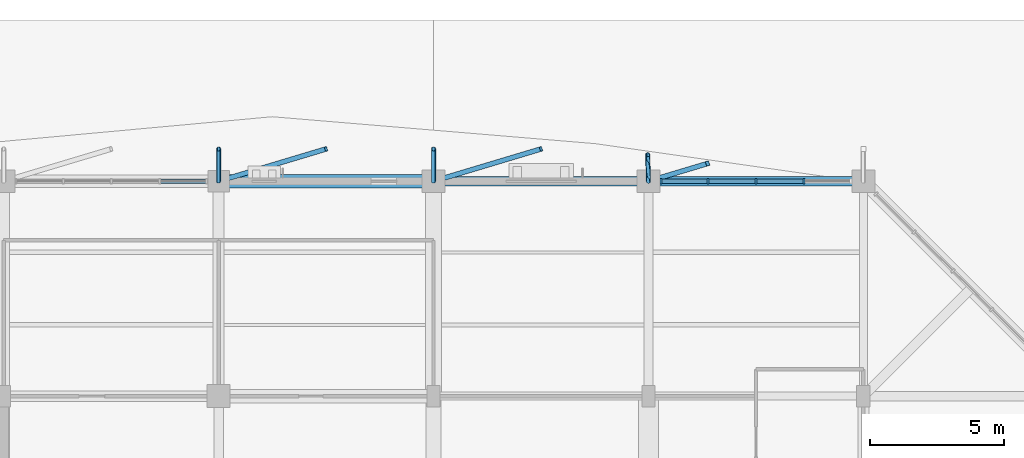
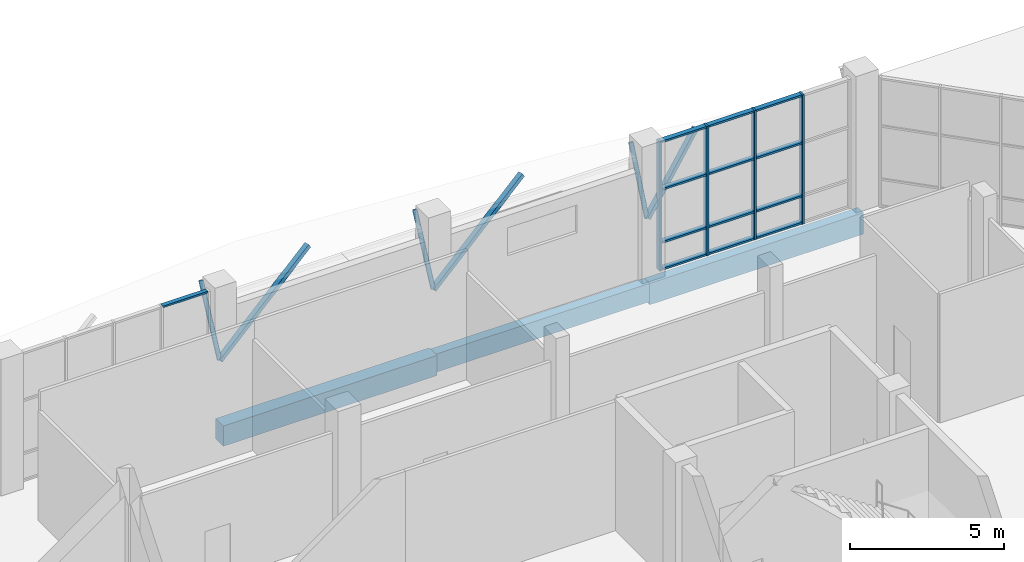
# One storey, part 42 of 123: 23 members, 3 beams, 2 elements without a shape of their own.
"""IFC4 building model written with IfcOpenShell, lengths in metres."""

import ifcopenshell
import ifcopenshell.guid

model = None  # the IFC model being written
_history = None  # IfcOwnerHistory: only IFC2X3 demands one
_inside = {}  # id of a spatial element -> (the spatial element, [elements in it])
_under = {}  # id of a project, library or spatial element -> (it, [spatial elements below it])
_declared = {}  # id of a project -> (the project, [libraries it declares])
_typed = {}  # id of a type object -> (the type object, [elements of that type])
_made_of = {}  # id of a material, layer set ... -> (it, [elements and type objects made of it])


def new_model(schema):
    """Start an empty IFC model of exactly this schema.

    Asked for "IFC4X3", IfcOpenShell would pick the latest addendum, in which some entities
    have other attributes; the version numbers below select the first issue.
    IFC2X3 requires an IfcOwnerHistory on every rooted entity: one is made here for all.
    """
    global model, _history
    if schema == "IFC4X3":
        model = ifcopenshell.file(schema_version=(4, 3, 0, 0))
    else:
        model = ifcopenshell.file(schema=schema)
    _inside.clear()
    _under.clear()
    _declared.clear()
    _typed.clear()
    _made_of.clear()
    _history = None
    if model.schema == "IFC2X3":
        org = make("IfcOrganization", Name="unknown")
        user = make(
            "IfcPersonAndOrganization",
            ThePerson=make("IfcPerson", FamilyName="unknown"),
            TheOrganization=org,
        )
        app = make(
            "IfcApplication",
            ApplicationDeveloper=org,
            Version="unknown",
            ApplicationFullName="unknown",
            ApplicationIdentifier="unknown",
        )
        _history = make(
            "IfcOwnerHistory",
            OwningUser=user,
            OwningApplication=app,
            ChangeAction="ADDED",
            CreationDate=0,
        )
    return model


def make(cls, **values):
    """One entity of the class cls with the attributes given. An attribute that is None is left unset."""
    return model.create_entity(
        cls, **{name: value for name, value in values.items() if value is not None}
    )


def rooted(cls, **values):
    """An entity with a GlobalId (a new one), such as an element, a storey or a relation."""
    return make(cls, GlobalId=ifcopenshell.guid.new(), OwnerHistory=_history, **values)


def si_unit(unit_type, name, prefix=None):
    """IfcSIUnit, for example si_unit("LENGTHUNIT", "METRE", prefix="MILLI")."""
    return make("IfcSIUnit", UnitType=unit_type, Prefix=prefix, Name=name)


def assignment(units):
    """IfcUnitAssignment: the units of a project."""
    return None if units is None else make("IfcUnitAssignment", Units=units)


def point(xyz):
    """IfcCartesianPoint."""
    return None if xyz is None else make("IfcCartesianPoint", Coordinates=xyz)


def direction(xyz):
    """IfcDirection."""
    return None if xyz is None else make("IfcDirection", DirectionRatios=xyz)


def frame(location, z_axis=None, x_axis=None):
    """IfcAxis2Placement3D, a coordinate frame: its origin and axes. An axis left out is left unset."""
    return make(
        "IfcAxis2Placement3D",
        Location=point(location),
        Axis=direction(z_axis),
        RefDirection=direction(x_axis),
    )


def frame_2d(location, x_axis=None):
    """IfcAxis2Placement2D, a coordinate frame in the plane: its origin and x axis."""
    return make(
        "IfcAxis2Placement2D", Location=point(location), RefDirection=direction(x_axis)
    )


def origin():
    """The frame at (0, 0, 0) with its axes left unset."""
    return frame((0.0, 0.0, 0.0))


def origin_2d():
    """The frame at (0, 0) in the plane with its x axis left unset."""
    return frame_2d((0.0, 0.0))


def place(relative_to, where):
    """IfcLocalPlacement: puts the frame where relative to a parent placement (None: the world)."""
    return make(
        "IfcLocalPlacement", PlacementRelTo=relative_to, RelativePlacement=where
    )


def context(
    kind, dimensions, precision=None, world=None, true_north=None, identifier=None
):
    """IfcGeometricRepresentationContext, for example the 3D "Model" context."""
    return make(
        "IfcGeometricRepresentationContext",
        ContextIdentifier=identifier,
        ContextType=kind,
        CoordinateSpaceDimension=dimensions,
        Precision=precision,
        WorldCoordinateSystem=world,
        TrueNorth=true_north,
    )


def subcontext(parent, identifier, kind, view, scale=None):
    """IfcGeometricRepresentationSubContext, for example "Body" below "Model"."""
    return make(
        "IfcGeometricRepresentationSubContext",
        ContextIdentifier=identifier,
        ContextType=kind,
        ParentContext=parent,
        TargetScale=scale,
        TargetView=view,
    )


def project(units=None, contexts=None):
    """IfcProject with its units and contexts."""
    return rooted(
        "IfcProject",
        Name="project",
        RepresentationContexts=contexts,
        UnitsInContext=assignment(units),
    )


def spatial(cls, under=None, at=None, **own):
    """A site, building, storey or space (cls), placed at a placement, below another one or the project."""
    s = rooted(cls, ObjectPlacement=at, **own)
    if under is not None:
        _under.setdefault(under.id(), (under, []))[1].append(s)
    return s


def profile(cls, at=None, kind="AREA", **sizes):
    """A parametric profile (cls). Its sizes go by their IFC names, for example OverallWidth=200.0."""
    return make(cls, ProfileType=kind, Position=at, **sizes)


def rectangle(**sizes):
    """IfcRectangleProfileDef."""
    return profile("IfcRectangleProfileDef", **sizes)


def hollow_rectangle(**sizes):
    """IfcRectangleHollowProfileDef."""
    return profile("IfcRectangleHollowProfileDef", **sizes)


def hollow_circle(**sizes):
    """IfcCircleHollowProfileDef."""
    return profile("IfcCircleHollowProfileDef", **sizes)


def extrude(swept, where, along, depth):
    """IfcExtrudedAreaSolid: the profile swept, set in the frame where, extruded along a direction by depth."""
    return make(
        "IfcExtrudedAreaSolid",
        SweptArea=swept,
        Position=where,
        ExtrudedDirection=direction(along),
        Depth=depth,
    )


def shape(context_of_items, identifier, shape_type, items):
    """IfcShapeRepresentation: the items that make up one representation, for example the "Body"."""
    return make(
        "IfcShapeRepresentation",
        ContextOfItems=context_of_items,
        RepresentationIdentifier=identifier,
        RepresentationType=shape_type,
        Items=items,
    )


def material(Name=None, Category=None):
    """IfcMaterial."""
    return make("IfcMaterial", Name=Name, Category=Category)


def material_profile(
    of_material, cross_section, Name=None, Category=None, Priority=None
):
    """IfcMaterialProfile: a cross section and its material."""
    return make(
        "IfcMaterialProfile",
        Name=Name,
        Material=of_material,
        Profile=cross_section,
        Priority=Priority,
        Category=Category,
    )


def profile_set(profiles, Name=None, composite=None):
    """IfcMaterialProfileSet."""
    return make(
        "IfcMaterialProfileSet",
        Name=Name,
        MaterialProfiles=profiles,
        CompositeProfile=composite,
    )


def made_of(thing, what):
    """Note that an element or type object is made of a material, layer set ...; save() writes the relation."""
    if what is not None:
        _made_of.setdefault(what.id(), (what, []))[1].append(thing)
    return thing


def type_object(cls, material=None, **own):
    """A type object (cls), such as IfcWallType, which elements share."""
    return made_of(rooted(cls, **own), material)


def element(
    cls,
    number,
    at=None,
    inside=None,
    cuts=None,
    type_object=None,
    material=None,
    context=None,
    identifier="Body",
    shape_type=None,
    held_by="IfcProductDefinitionShape",
    body=None,
    shapes=None,
    **own,
):
    """One element of the class cls, such as IfcWall. Its Tag is "e" and its number.

    at: its placement. inside: the storey or other place that contains it. cuts: it is an
    opening in that element (IfcRelVoidsElement). A single representation is given by context,
    identifier, shape_type and body (its items); several are given by shapes. held_by: the class
    of the entity that holds the representations. save() writes the other relations.
    """
    e = rooted(cls, Tag="e%d" % number, ObjectPlacement=at, **own)
    if body is not None:
        shapes = [shape(context, identifier, shape_type, body)]
    if shapes is not None:
        e.Representation = make(held_by, Representations=shapes)
    if inside is not None:
        _inside.setdefault(inside.id(), (inside, []))[1].append(e)
    if cuts is not None:
        rooted(
            "IfcRelVoidsElement", RelatingBuildingElement=cuts, RelatedOpeningElement=e
        )
    if type_object is not None:
        _typed.setdefault(type_object.id(), (type_object, []))[1].append(e)
    return made_of(e, material)


def aggregate(whole, parts):
    """IfcRelAggregates: a whole, such as a stair, and the parts it consists of."""
    return rooted("IfcRelAggregates", RelatingObject=whole, RelatedObjects=parts)


def save(model, path):
    """Write the relations noted so far, then the file.

    IfcRelAggregates (storeys below a building ...), IfcRelContainedInSpatialStructure (elements
    in a storey), IfcRelDefinesByType, IfcRelAssociatesMaterial and IfcRelDeclares: one each for
    every whole, place, type object, material and project.
    """
    for whole, parts in _under.values():
        aggregate(whole, parts)
    for where, things in _inside.values():
        rooted(
            "IfcRelContainedInSpatialStructure",
            RelatedElements=things,
            RelatingStructure=where,
        )
    for kind, things in _typed.values():
        rooted("IfcRelDefinesByType", RelatedObjects=things, RelatingType=kind)
    for what, things in _made_of.values():
        rooted("IfcRelAssociatesMaterial", RelatedObjects=things, RelatingMaterial=what)
    for by, libraries in _declared.values():
        rooted("IfcRelDeclares", RelatingContext=by, RelatedDefinitions=libraries)
    model.write(path)


model = new_model("IFC4")

# Units and contexts
model_context = context("Model", 3, precision=1e-05, world=origin(), true_north=direction((0.0, 1.0)))
body_context = subcontext(model_context, "Body", "Model", "MODEL_VIEW")
ifc_project = project(units=[si_unit("LENGTHUNIT", "METRE"), si_unit("AREAUNIT", "SQUARE_METRE"), si_unit("VOLUMEUNIT", "CUBIC_METRE"), si_unit("PLANEANGLEUNIT", "RADIAN"), si_unit("MASSUNIT", "GRAM", prefix="KILO")], contexts=[model_context])

# Site, building, storey
site_placement = place(None, origin())
site = spatial("IfcSite", under=ifc_project, at=site_placement, CompositionType="ELEMENT")
building_placement = place(site_placement, origin())
building = spatial("IfcBuilding", under=site, at=building_placement, Name="Tenunan Teduh Sports Hall", CompositionType="ELEMENT")
storey_placement = place(building_placement, origin())
storey = spatial("IfcBuildingStorey", under=building, at=storey_placement, Name="L00", CompositionType="ELEMENT", Elevation=0.0)

# Beams
ifc_material_1 = material(Name="Concrete C40/50", Category="concrete")
ifc_material_profile_1 = material_profile(ifc_material_1, rectangle(XDim=0.5, YDim=0.800048828125, at=origin_2d()), Name="RCB 500x800")
ifc_profile_set_1 = profile_set([ifc_material_profile_1], Name="Concrete C40/50")
beam_type_1 = type_object("IfcBeamType", Name="BM-RC-500x800", PredefinedType="BEAM", material=ifc_profile_set_1)
beam_1_placement = place(storey_placement, frame((46.0, 118.0, -0.679931640625), z_axis=(1.0, 0.0, 0.0), x_axis=(0.0, 1.0, 0.0)))
element("IfcBeam", 1, at=beam_1_placement, inside=storey, type_object=beam_type_1, Name="BM-B-14-L00-0754", PredefinedType="BEAM", context=body_context, shape_type="SweptSolid", body=[
    extrude(rectangle(XDim=0.5, YDim=0.800048828125, at=origin_2d()), origin(), (0.0, 0.0, 1.0), 8.0),
])
ifc_material_2 = material(Name="Concrete C40/50", Category="concrete")
ifc_material_profile_2 = material_profile(ifc_material_2, rectangle(XDim=0.35009765625, YDim=0.85009765625, at=origin_2d()), Name="SPB 350x850")
ifc_profile_set_2 = profile_set([ifc_material_profile_2], Name="Concrete C40/50")
beam_type_2 = type_object("IfcBeamType", Name="BM-SP-350x850", PredefinedType="SPANDREL", material=ifc_profile_set_2)
beam_2_placement = place(storey_placement, frame((62.0, 118.0, -0.705078125), z_axis=(1.0, 0.0, 0.0), x_axis=(0.0, 1.0, 0.0)))
element("IfcBeam", 2, at=beam_2_placement, inside=storey, type_object=beam_type_2, Name="BM-SP-02-L00-0756", PredefinedType="SPANDREL", context=body_context, shape_type="SweptSolid", body=[
    extrude(rectangle(XDim=0.35009765625, YDim=0.85009765625, at=origin_2d()), origin(), (0.0, 0.0, 1.0), 8.0),
])
ifc_material_3 = material(Name="Concrete C40/50", Category="concrete")
ifc_material_profile_3 = material_profile(ifc_material_3, rectangle(XDim=0.35009765625, YDim=0.719970703125, at=origin_2d()), Name="TB 350x720")
ifc_profile_set_3 = profile_set([ifc_material_profile_3], Name="Concrete C40/50")
beam_type_3 = type_object("IfcBeamType", Name="BM-TB-350x720", PredefinedType="T_BEAM", material=ifc_profile_set_3)
beam_3_placement = place(storey_placement, frame((54.0, 118.0, -0.639892578125), z_axis=(1.0, 0.0, 0.0), x_axis=(0.0, 1.0, 0.0)))
element("IfcBeam", 3, at=beam_3_placement, inside=storey, type_object=beam_type_3, Name="BM-TB-01-L00-0755", PredefinedType="T_BEAM", context=body_context, shape_type="SweptSolid", body=[
    extrude(rectangle(XDim=0.35009765625, YDim=0.719970703125, at=origin_2d()), origin(), (0.0, 0.0, 1.0), 8.0),
])

# Curtain wall, members
ifc_material_4 = material(Name="Anodised aluminium", Category="aluminium")
curtain_wall_type = type_object("IfcCurtainWallType", Name="CW-UNIT-1", PredefinedType="NOTDEFINED", material=ifc_material_4)
curtain_wall_1_placement = place(storey_placement, origin())
curtain_wall_1 = element("IfcCurtainWall", 4, at=curtain_wall_1_placement, inside=storey, type_object=curtain_wall_type, Name="CW-CWM-220-L00-197", PredefinedType="NOTDEFINED")
ifc_material_5 = material(Name="Anodised aluminium", Category="aluminium")
ifc_material_profile_4 = material_profile(ifc_material_5, rectangle(XDim=0.074951171875, YDim=0.219970703125, at=origin_2d()), Name="CWM 75x220")
ifc_profile_set_4 = profile_set([ifc_material_profile_4], Name="Anodised aluminium")
member_type_1 = type_object("IfcMemberType", Name="CWM-220", PredefinedType="MULLION", material=ifc_profile_set_4)
member_1_placement = place(storey_placement, frame((62.46240234375, 118.0, 0.0), z_axis=(0.0, 0.0, 1.0), x_axis=(1.0, 0.0, 0.0)))
member_1 = element("IfcMember", 5, at=member_1_placement, type_object=member_type_1, Name="CW-01 mullion 1", PredefinedType="MULLION", context=body_context, shape_type="SweptSolid", body=[
    extrude(rectangle(XDim=0.074951171875, YDim=0.219970703125, at=origin_2d()), origin(), (0.0, 0.0, 1.0), 5.1201171875),
])
member_2_placement = place(storey_placement, frame((64.21240234375, 118.0, 0.0), z_axis=(0.0, 0.0, 1.0), x_axis=(1.0, 0.0, 0.0)))
member_2 = element("IfcMember", 6, at=member_2_placement, type_object=member_type_1, Name="CW-01 mullion 2", PredefinedType="MULLION", context=body_context, shape_type="SweptSolid", body=[
    extrude(rectangle(XDim=0.074951171875, YDim=0.219970703125, at=origin_2d()), origin(), (0.0, 0.0, 1.0), 5.1201171875),
])
member_3_placement = place(storey_placement, frame((66.0, 118.0, 0.0), z_axis=(0.0, 0.0, 1.0), x_axis=(1.0, 0.0, 0.0)))
member_3 = element("IfcMember", 7, at=member_3_placement, type_object=member_type_1, Name="CW-01 mullion 3", PredefinedType="MULLION", context=body_context, shape_type="SweptSolid", body=[
    extrude(rectangle(XDim=0.074951171875, YDim=0.219970703125, at=origin_2d()), origin(), (0.0, 0.0, 1.0), 5.1201171875),
])
member_4_placement = place(storey_placement, frame((67.78759765625, 118.0, 0.0), z_axis=(0.0, 0.0, 1.0), x_axis=(1.0, 0.0, 0.0)))
member_4 = element("IfcMember", 8, at=member_4_placement, type_object=member_type_1, Name="CW-01 mullion 4", PredefinedType="MULLION", context=body_context, shape_type="SweptSolid", body=[
    extrude(rectangle(XDim=0.074951171875, YDim=0.219970703125, at=origin_2d()), origin(), (0.0, 0.0, 1.0), 5.1201171875),
])
ifc_material_6 = material(Name="Anodised aluminium", Category="aluminium")
ifc_material_profile_5 = material_profile(ifc_material_6, rectangle(XDim=0.074951171875, YDim=0.179931640625, at=origin_2d()), Name="CWT 75x180")
ifc_profile_set_5 = profile_set([ifc_material_profile_5], Name="Anodised aluminium")
member_type_2 = type_object("IfcMemberType", Name="CWT-180", PredefinedType="USERDEFINED", material=ifc_profile_set_5)
member_5_placement = place(storey_placement, frame((62.5, 118.0, 0.03759765625), z_axis=(1.0, 0.0, 0.0), x_axis=(0.0, 0.0, 1.0)))
member_5 = element("IfcMember", 9, at=member_5_placement, type_object=member_type_2, Name="CW-01 transom 1.1", ObjectType="TRANSOM", PredefinedType="USERDEFINED", context=body_context, shape_type="SweptSolid", body=[
    extrude(rectangle(XDim=0.074951171875, YDim=0.179931640625, at=origin_2d()), origin(), (0.0, 0.0, 1.0), 1.675048828125),
])
member_6_placement = place(storey_placement, frame((62.5, 118.0, 1.10009765625), z_axis=(1.0, 0.0, 0.0), x_axis=(0.0, 0.0, 1.0)))
member_6 = element("IfcMember", 10, at=member_6_placement, type_object=member_type_2, Name="CW-01 transom 1.2", ObjectType="TRANSOM", PredefinedType="USERDEFINED", context=body_context, shape_type="SweptSolid", body=[
    extrude(rectangle(XDim=0.074951171875, YDim=0.179931640625, at=origin_2d()), origin(), (0.0, 0.0, 1.0), 1.675048828125),
])
member_7_placement = place(storey_placement, frame((62.5, 118.0, 3.199951171875), z_axis=(1.0, 0.0, 0.0), x_axis=(0.0, 0.0, 1.0)))
member_7 = element("IfcMember", 11, at=member_7_placement, type_object=member_type_2, Name="CW-01 transom 1.3", ObjectType="TRANSOM", PredefinedType="USERDEFINED", context=body_context, shape_type="SweptSolid", body=[
    extrude(rectangle(XDim=0.074951171875, YDim=0.179931640625, at=origin_2d()), origin(), (0.0, 0.0, 1.0), 1.675048828125),
])
member_8_placement = place(storey_placement, frame((62.5, 118.0, 5.08251953125), z_axis=(1.0, 0.0, 0.0), x_axis=(0.0, 0.0, 1.0)))
member_8 = element("IfcMember", 12, at=member_8_placement, type_object=member_type_2, Name="CW-01 transom 1.4", ObjectType="TRANSOM", PredefinedType="USERDEFINED", context=body_context, shape_type="SweptSolid", body=[
    extrude(rectangle(XDim=0.074951171875, YDim=0.179931640625, at=origin_2d()), origin(), (0.0, 0.0, 1.0), 1.675048828125),
])
member_9_placement = place(storey_placement, frame((64.25, 118.0, 0.03759765625), z_axis=(1.0, 0.0, 0.0), x_axis=(0.0, 0.0, 1.0)))
member_9 = element("IfcMember", 13, at=member_9_placement, type_object=member_type_2, Name="CW-01 transom 2.1", ObjectType="TRANSOM", PredefinedType="USERDEFINED", context=body_context, shape_type="SweptSolid", body=[
    extrude(rectangle(XDim=0.074951171875, YDim=0.179931640625, at=origin_2d()), origin(), (0.0, 0.0, 1.0), 1.71240234375),
])
member_10_placement = place(storey_placement, frame((64.25, 118.0, 1.10009765625), z_axis=(1.0, 0.0, 0.0), x_axis=(0.0, 0.0, 1.0)))
member_10 = element("IfcMember", 14, at=member_10_placement, type_object=member_type_2, Name="CW-01 transom 2.2", ObjectType="TRANSOM", PredefinedType="USERDEFINED", context=body_context, shape_type="SweptSolid", body=[
    extrude(rectangle(XDim=0.074951171875, YDim=0.179931640625, at=origin_2d()), origin(), (0.0, 0.0, 1.0), 1.71240234375),
])
member_11_placement = place(storey_placement, frame((64.25, 118.0, 3.199951171875), z_axis=(1.0, 0.0, 0.0), x_axis=(0.0, 0.0, 1.0)))
member_11 = element("IfcMember", 15, at=member_11_placement, type_object=member_type_2, Name="CW-01 transom 2.3", ObjectType="TRANSOM", PredefinedType="USERDEFINED", context=body_context, shape_type="SweptSolid", body=[
    extrude(rectangle(XDim=0.074951171875, YDim=0.179931640625, at=origin_2d()), origin(), (0.0, 0.0, 1.0), 1.71240234375),
])
member_12_placement = place(storey_placement, frame((64.25, 118.0, 5.08251953125), z_axis=(1.0, 0.0, 0.0), x_axis=(0.0, 0.0, 1.0)))
member_12 = element("IfcMember", 16, at=member_12_placement, type_object=member_type_2, Name="CW-01 transom 2.4", ObjectType="TRANSOM", PredefinedType="USERDEFINED", context=body_context, shape_type="SweptSolid", body=[
    extrude(rectangle(XDim=0.074951171875, YDim=0.179931640625, at=origin_2d()), origin(), (0.0, 0.0, 1.0), 1.71240234375),
])
member_13_placement = place(storey_placement, frame((66.03759765625, 118.0, 0.03759765625), z_axis=(1.0, 0.0, 0.0), x_axis=(0.0, 0.0, 1.0)))
member_13 = element("IfcMember", 17, at=member_13_placement, type_object=member_type_2, Name="CW-01 transom 3.1", ObjectType="TRANSOM", PredefinedType="USERDEFINED", context=body_context, shape_type="SweptSolid", body=[
    extrude(rectangle(XDim=0.074951171875, YDim=0.179931640625, at=origin_2d()), origin(), (0.0, 0.0, 1.0), 1.71240234375),
])
member_14_placement = place(storey_placement, frame((66.03759765625, 118.0, 1.10009765625), z_axis=(1.0, 0.0, 0.0), x_axis=(0.0, 0.0, 1.0)))
member_14 = element("IfcMember", 18, at=member_14_placement, type_object=member_type_2, Name="CW-01 transom 3.2", ObjectType="TRANSOM", PredefinedType="USERDEFINED", context=body_context, shape_type="SweptSolid", body=[
    extrude(rectangle(XDim=0.074951171875, YDim=0.179931640625, at=origin_2d()), origin(), (0.0, 0.0, 1.0), 1.71240234375),
])
member_15_placement = place(storey_placement, frame((66.03759765625, 118.0, 3.199951171875), z_axis=(1.0, 0.0, 0.0), x_axis=(0.0, 0.0, 1.0)))
member_15 = element("IfcMember", 19, at=member_15_placement, type_object=member_type_2, Name="CW-01 transom 3.3", ObjectType="TRANSOM", PredefinedType="USERDEFINED", context=body_context, shape_type="SweptSolid", body=[
    extrude(rectangle(XDim=0.074951171875, YDim=0.179931640625, at=origin_2d()), origin(), (0.0, 0.0, 1.0), 1.71240234375),
])
member_16_placement = place(storey_placement, frame((66.03759765625, 118.0, 5.08251953125), z_axis=(1.0, 0.0, 0.0), x_axis=(0.0, 0.0, 1.0)))
member_16 = element("IfcMember", 20, at=member_16_placement, type_object=member_type_2, Name="CW-01 transom 3.4", ObjectType="TRANSOM", PredefinedType="USERDEFINED", context=body_context, shape_type="SweptSolid", body=[
    extrude(rectangle(XDim=0.074951171875, YDim=0.179931640625, at=origin_2d()), origin(), (0.0, 0.0, 1.0), 1.71240234375),
])
aggregate(curtain_wall_1, [member_1, member_2, member_3, member_4, member_5, member_6, member_7, member_8, member_9, member_10, member_11, member_12, member_13, member_14, member_15, member_16])

# Curtain wall, member
curtain_wall_2_placement = place(storey_placement, origin())
curtain_wall_2 = element("IfcCurtainWall", 21, at=curtain_wall_2_placement, inside=storey, type_object=curtain_wall_type, Name="CW-CWM-200-L00-196", PredefinedType="NOTDEFINED")
ifc_material_7 = material(Name="Anodised aluminium", Category="aluminium")
ifc_material_profile_6 = material_profile(ifc_material_7, rectangle(XDim=0.070068359375, YDim=0.159912109375, at=origin_2d()), Name="CWT 70x160")
ifc_profile_set_6 = profile_set([ifc_material_profile_6], Name="Anodised aluminium")
member_type_3 = type_object("IfcMemberType", Name="CWT-200", PredefinedType="USERDEFINED", material=ifc_profile_set_6)
member_17_placement = place(storey_placement, frame((43.84130859375, 118.0, 5.0849609375), z_axis=(1.0, 0.0, 0.0), x_axis=(0.0, 0.0, 1.0)))
member_17 = element("IfcMember", 22, at=member_17_placement, type_object=member_type_3, Name="CW-01 transom 4.4", ObjectType="TRANSOM", PredefinedType="USERDEFINED", context=body_context, shape_type="SweptSolid", body=[
    extrude(rectangle(XDim=0.070068359375, YDim=0.159912109375, at=origin_2d()), origin(), (0.0, 0.0, 1.0), 1.688720703125),
])
aggregate(curtain_wall_2, [member_17])

# Members
ifc_material_8 = material(Name="Steel S355", Category="steel")
ifc_material_profile_7 = material_profile(ifc_material_8, hollow_circle(Radius=0.084228515625, WallThickness=0.008056640625, at=origin_2d()), Name="CHS 168.3x8.0")
ifc_profile_set_7 = profile_set([ifc_material_profile_7], Name="Steel S355")
member_type_4 = type_object("IfcMemberType", Name="MEM-BR-CHS168", PredefinedType="BRACE", material=ifc_profile_set_7)
for number, where, z_axis, x_axis, name in (
    (23, (46.0, 118.0, 2.199951171875), (0.0, 0.444210511522, 0.895922441651), (-1.0, 0.0, 0.0), "MEM-GD-04-L00-1115"),
    (24, (54.0, 118.0, 2.199951171875), (0.0, 0.444210511522, 0.895922441651), (-1.0, 0.0, 0.0), "MEM-GD-04-L00-1117"),
):
    element("IfcMember", number, at=place(storey_placement, frame(where, z_axis=z_axis, x_axis=x_axis)), inside=storey, type_object=member_type_4, Name=name, PredefinedType="BRACE", context=body_context, shape_type="SweptSolid", body=[
        extrude(hollow_circle(Radius=0.084228515625, WallThickness=0.008056640625, at=origin_2d()), origin(), (0.0, 0.0, 1.0), 2.701416015625),
    ])
member_18_placement = place(storey_placement, frame((62.0, 118.0, 2.199951171875), z_axis=(-0.011674743849, 0.377701312987, 0.925853886163), x_axis=(-0.999522628299, -0.030895234554, 0.0)))
element("IfcMember", 25, at=member_18_placement, inside=storey, type_object=member_type_4, Name="MEM-GD-04-L00-1119", PredefinedType="BRACE", context=body_context, shape_type="SweptSolid", body=[
    extrude(hollow_circle(Radius=0.084228515625, WallThickness=0.008056640625, at=origin_2d()), origin(), (0.0, 0.0, 1.0), 2.614013671875),
])
ifc_material_9 = material(Name="Steel S355", Category="steel")
ifc_material_profile_8 = material_profile(ifc_material_9, hollow_rectangle(XDim=0.179931640625, YDim=0.179931640625, WallThickness=0.010009765625, at=origin_2d()), Name="SHS 180x180x10.0")
ifc_profile_set_8 = profile_set([ifc_material_profile_8], Name="Steel S355")
member_type_5 = type_object("IfcMemberType", Name="MEM-ST-SHS180", PredefinedType="STRUT", material=ifc_profile_set_8)
for number, where, z_axis, x_axis, name in (
    (26, (46.0, 118.0, 2.199951171875), (0.828722607556, 0.248606666024, 0.501411572797), (-0.287337158709, 0.957829503213, 0.0), "MEM-VS-03-L00-1116"),
    (27, (54.0, 118.0, 2.199951171875), (0.828722607556, 0.248606666024, 0.501411572797), (-0.287337158709, 0.957829503213, 0.0), "MEM-VS-03-L00-1118"),
):
    element("IfcMember", number, at=place(storey_placement, frame(where, z_axis=z_axis, x_axis=x_axis)), inside=storey, type_object=member_type_5, Name=name, PredefinedType="STRUT", context=body_context, shape_type="SweptSolid", body=[
        extrude(hollow_rectangle(XDim=0.179931640625, YDim=0.179931640625, WallThickness=0.010009765625, at=origin_2d()), origin(), (0.0, 0.0, 1.0), 4.82666015625),
    ])
member_19_placement = place(storey_placement, frame((62.0, 118.0, 2.199951171875), z_axis=(0.659351839953, 0.197783600421, 0.725352878643), x_axis=(-0.287318629597, 0.957835061525, 0.0)))
element("IfcMember", 28, at=member_19_placement, inside=storey, type_object=member_type_5, Name="MEM-VS-03-L00-1120", PredefinedType="STRUT", context=body_context, shape_type="SweptSolid", body=[
    extrude(hollow_rectangle(XDim=0.179931640625, YDim=0.179931640625, WallThickness=0.010009765625, at=origin_2d()), origin(), (0.0, 0.0, 1.0), 3.33642578125),
])

save(model, "model.ifc")
